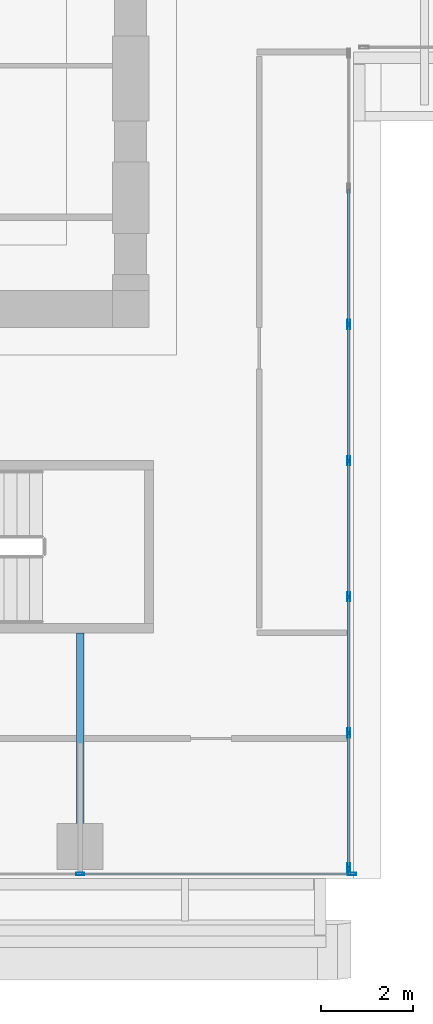
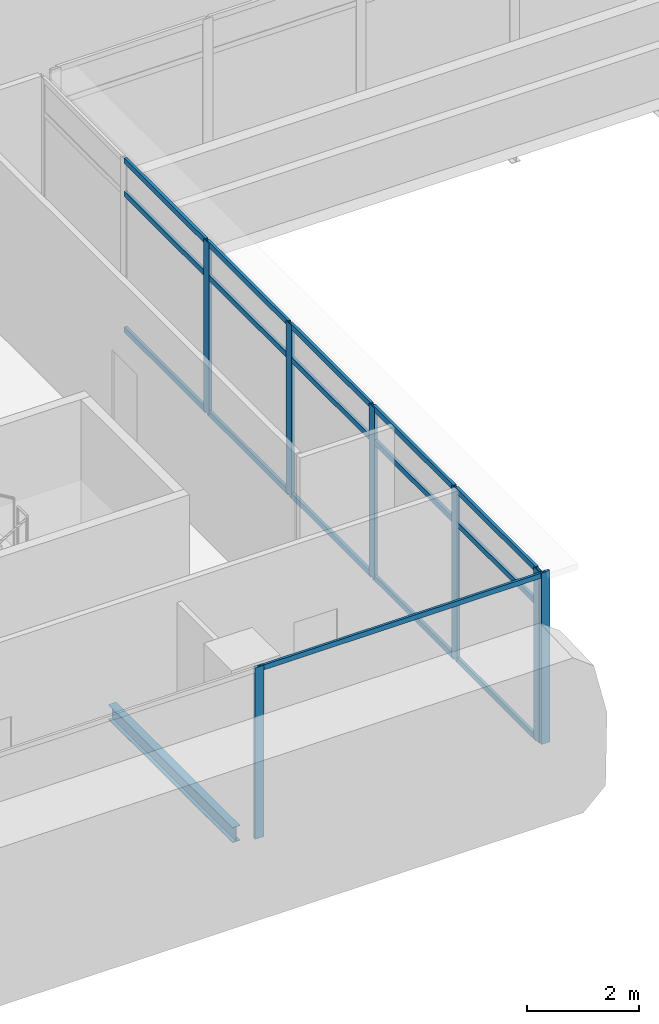
# One storey, part 4 of 43: 23 members, 1 beam, 2 elements without a shape of their own.
"""IFC4 building model written with IfcOpenShell, lengths in metres."""

from ifc_helpers import new_model, si_unit, direction, frame, origin, origin_2d, place, context, subcontext, project, spatial, hollow_rectangle, i_section, extrude, source, transform, mapped, material, material_profile, profile_set, type_object, element, aggregate, save


model = new_model("IFC4")

# Units and contexts
model_context = context("Model", 3, precision=1e-05, world=origin(), true_north=direction((0.0, 1.0)))
body_context = subcontext(model_context, "Body", "Model", "MODEL_VIEW")
ifc_project = project(units=[si_unit("LENGTHUNIT", "METRE"), si_unit("AREAUNIT", "SQUARE_METRE"), si_unit("VOLUMEUNIT", "CUBIC_METRE"), si_unit("PLANEANGLEUNIT", "RADIAN"), si_unit("MASSUNIT", "GRAM", prefix="KILO")], contexts=[model_context])

# Site, building, storey
site_placement = place(None, origin())
site = spatial("IfcSite", under=ifc_project, at=site_placement, CompositionType="ELEMENT")
building_placement = place(site_placement, origin())
building = spatial("IfcBuilding", under=site, at=building_placement, Name="Khomas Fold Tower", CompositionType="ELEMENT")
storey_placement = place(building_placement, frame((0.0, 0.0, 164.699951171875)))
storey = spatial("IfcBuildingStorey", under=building, at=storey_placement, Name="L35", CompositionType="ELEMENT", Elevation=164.699951171875)

# Beam
ifc_material_1 = material(Name="Steel S355", Category="steel")
ifc_material_profile_1 = material_profile(ifc_material_1, i_section(OverallWidth=0.159912109375, OverallDepth=0.330078125, WebThickness=0.007568359375, FlangeThickness=0.011474609375, at=origin_2d()), Name="IPE 330")
ifc_profile_set_1 = profile_set([ifc_material_profile_1], Name="Steel S355")
beam_type = type_object("IfcBeamType", Name="IPE 330 beam JB1", PredefinedType="BEAM", material=ifc_profile_set_1)
shared_shape_1 = source(origin(), body_context, "Body", "SweptSolid", [
    extrude(i_section(OverallWidth=0.159912109375, OverallDepth=0.330078125, WebThickness=0.007568359375, FlangeThickness=0.011474609375, at=origin_2d()), origin(), (0.0, 0.0, 1.0), 4.4501953125),
])
beam_placement = place(storey_placement, frame((19.5, 3.89990234375, -0.4150390625), z_axis=(0.0, 1.0, 0.0), x_axis=(-1.0, 0.0, 0.0)))
element("IfcBeam", 1, at=beam_placement, inside=storey, type_object=beam_type, Name="JB1", PredefinedType="BEAM", context=body_context, shape_type="MappedRepresentation", body=[
    mapped(shared_shape_1, transform((0.0, 0.0, 0.0))),
])

# Curtain wall, members
ifc_material_2 = material(Name="Aluminium framed double glazing", Category="aluminium")
curtain_wall_type_1 = type_object("IfcCurtainWallType", Name="SK-Unitised clear-glass wall, office floors CW2", PredefinedType="NOTDEFINED", material=ifc_material_2)
curtain_wall_1_placement = place(storey_placement, origin())
curtain_wall_1 = element("IfcCurtainWall", 2, at=curtain_wall_1_placement, inside=storey, type_object=curtain_wall_type_1, Name="CW2 run L35 01-0", PredefinedType="NOTDEFINED")
ifc_material_3 = material(Name="Aluminium", Category="aluminium")
ifc_material_profile_2 = material_profile(ifc_material_3, hollow_rectangle(XDim=0.06005859375, YDim=0.179931640625, WallThickness=0.00390625, at=origin_2d()), Name="SK-Unitised clear-glass wall, office floors mullion CW2-M")
ifc_profile_set_2 = profile_set([ifc_material_profile_2], Name="Aluminium")
member_type_1 = type_object("IfcMemberType", Name="SK-Unitised clear-glass wall, office floors mullion CW2-M", PredefinedType="MULLION", material=ifc_profile_set_2)
shared_shape_2 = source(origin(), body_context, "Body", "SweptSolid", [
    extrude(hollow_rectangle(XDim=0.06005859375, YDim=0.179931640625, WallThickness=0.00390625, at=origin_2d()), origin(), (0.0, 0.0, 1.0), 3.75),
])
member_1_placement = place(storey_placement, frame((19.5, 3.10009765625, 0.0), z_axis=(0.0, 0.0, 1.0), x_axis=(0.0, 1.0, 0.0)))
member_1 = element("IfcMember", 3, at=member_1_placement, type_object=member_type_1, Name="CW2 mullion 4", PredefinedType="MULLION", context=body_context, shape_type="MappedRepresentation", body=[
    mapped(shared_shape_2, transform((0.0, 0.0, 0.0))),
])
member_2_placement = place(storey_placement, frame((25.419921875, 3.10009765625, 0.0), z_axis=(0.0, 0.0, 1.0), x_axis=(0.0, 1.0, 0.0)))
member_2 = element("IfcMember", 4, at=member_2_placement, type_object=member_type_1, Name="CW2 mullion 5", PredefinedType="MULLION", context=body_context, shape_type="MappedRepresentation", body=[
    mapped(shared_shape_2, transform((0.0, 0.0, 0.0))),
])
ifc_material_4 = material(Name="Aluminium", Category="aluminium")
ifc_material_profile_3 = material_profile(ifc_material_4, hollow_rectangle(XDim=0.050048828125, YDim=0.110107421875, WallThickness=0.00390625, at=origin_2d()), Name="SK-Unitised clear-glass wall, office floors transom CW2-T")
ifc_profile_set_3 = profile_set([ifc_material_profile_3], Name="Aluminium")
member_type_2 = type_object("IfcMemberType", Name="SK-Unitised clear-glass wall, office floors transom CW2-T", PredefinedType="USERDEFINED", material=ifc_profile_set_3)
shared_shape_3 = source(origin(), body_context, "Body", "SweptSolid", [
    extrude(hollow_rectangle(XDim=0.050048828125, YDim=0.110107421875, WallThickness=0.00390625, at=origin_2d()), origin(), (0.0, 0.0, 1.0), 5.85986328125),
])
member_3_placement = place(storey_placement, frame((19.530029296875, 3.10009765625, 3.695068359375), z_axis=(1.0, 0.0, 0.0), x_axis=(0.0, 1.0, 0.0)))
member_3 = element("IfcMember", 5, at=member_3_placement, type_object=member_type_2, Name="CW2 transom 4", ObjectType="TRANSOM", PredefinedType="USERDEFINED", context=body_context, shape_type="MappedRepresentation", body=[
    mapped(shared_shape_3, transform((0.0, 0.0, 0.0))),
])
aggregate(curtain_wall_1, [member_1, member_2, member_3])

ifc_material_5 = material(Name="Aluminium framed double glazing", Category="aluminium")
curtain_wall_type_2 = type_object("IfcCurtainWallType", Name="Notch glazing GN-CW", PredefinedType="NOTDEFINED", material=ifc_material_5)
curtain_wall_2_placement = place(storey_placement, origin())
curtain_wall_2 = element("IfcCurtainWall", 6, at=curtain_wall_2_placement, inside=storey, type_object=curtain_wall_type_2, Name="Notch glazing run", PredefinedType="NOTDEFINED")
ifc_material_6 = material(Name="Aluminium", Category="aluminium")
ifc_material_profile_4 = material_profile(ifc_material_6, hollow_rectangle(XDim=0.06005859375, YDim=0.1201171875, WallThickness=0.00390625, at=origin_2d()), Name="Notch glazing transom GN-CW-T")
ifc_profile_set_4 = profile_set([ifc_material_profile_4], Name="Aluminium")
member_type_3 = type_object("IfcMemberType", Name="Notch glazing transom GN-CW-T", PredefinedType="USERDEFINED", material=ifc_profile_set_4)
shared_shape_4 = source(origin(), body_context, "Body", "SweptSolid", [
    extrude(hollow_rectangle(XDim=0.06005859375, YDim=0.1201171875, WallThickness=0.00390625, at=origin_2d()), origin(), (0.0, 0.0, 1.0), 2.876708984375),
])
member_4_placement = place(storey_placement, frame((25.35009765625, 3.260009765625, 0.030029296875), z_axis=(0.0, 1.0, 0.0), x_axis=(-1.0, 0.0, 0.0)))
member_4 = element("IfcMember", 7, at=member_4_placement, type_object=member_type_3, Name="GN-CW transom 1.1", ObjectType="TRANSOM", PredefinedType="USERDEFINED", context=body_context, shape_type="MappedRepresentation", body=[
    mapped(shared_shape_4, transform((0.0, 0.0, 0.0))),
])
member_5_placement = place(storey_placement, frame((25.35009765625, 3.260009765625, 3.0), z_axis=(0.0, 1.0, 0.0), x_axis=(-1.0, 0.0, 0.0)))
member_5 = element("IfcMember", 8, at=member_5_placement, type_object=member_type_3, Name="GN-CW transom 1.2", ObjectType="TRANSOM", PredefinedType="USERDEFINED", context=body_context, shape_type="MappedRepresentation", body=[
    mapped(shared_shape_4, transform((0.0, 0.0, 0.0))),
])
member_6_placement = place(storey_placement, frame((25.35009765625, 3.260009765625, 3.719970703125), z_axis=(0.0, 1.0, 0.0), x_axis=(-1.0, 0.0, 0.0)))
member_6 = element("IfcMember", 9, at=member_6_placement, type_object=member_type_3, Name="GN-CW transom 1.3", ObjectType="TRANSOM", PredefinedType="USERDEFINED", context=body_context, shape_type="MappedRepresentation", body=[
    mapped(shared_shape_4, transform((0.0, 0.0, 0.0))),
])
shared_shape_5 = source(origin(), body_context, "Body", "SweptSolid", [
    extrude(hollow_rectangle(XDim=0.06005859375, YDim=0.1201171875, WallThickness=0.00390625, at=origin_2d()), origin(), (0.0, 0.0, 1.0), 2.90673828125),
])
member_7_placement = place(storey_placement, frame((25.35009765625, 9.163330078125, 0.030029296875), z_axis=(0.0, 1.0, 0.0), x_axis=(-1.0, 0.0, 0.0)))
member_7 = element("IfcMember", 10, at=member_7_placement, type_object=member_type_3, Name="GN-CW transom 3.1", ObjectType="TRANSOM", PredefinedType="USERDEFINED", context=body_context, shape_type="MappedRepresentation", body=[
    mapped(shared_shape_5, transform((0.0, 0.0, 0.0))),
])
member_8_placement = place(storey_placement, frame((25.35009765625, 9.163330078125, 3.0), z_axis=(0.0, 1.0, 0.0), x_axis=(-1.0, 0.0, 0.0)))
member_8 = element("IfcMember", 11, at=member_8_placement, type_object=member_type_3, Name="GN-CW transom 3.2", ObjectType="TRANSOM", PredefinedType="USERDEFINED", context=body_context, shape_type="MappedRepresentation", body=[
    mapped(shared_shape_5, transform((0.0, 0.0, 0.0))),
])
member_9_placement = place(storey_placement, frame((25.35009765625, 9.163330078125, 3.719970703125), z_axis=(0.0, 1.0, 0.0), x_axis=(-1.0, 0.0, 0.0)))
member_9 = element("IfcMember", 12, at=member_9_placement, type_object=member_type_3, Name="GN-CW transom 3.3", ObjectType="TRANSOM", PredefinedType="USERDEFINED", context=body_context, shape_type="MappedRepresentation", body=[
    mapped(shared_shape_5, transform((0.0, 0.0, 0.0))),
])
member_10_placement = place(storey_placement, frame((25.35009765625, 12.1298828125, 0.030029296875), z_axis=(0.0, 1.0, 0.0), x_axis=(-1.0, 0.0, 0.0)))
member_10 = element("IfcMember", 13, at=member_10_placement, type_object=member_type_3, Name="GN-CW transom 4.1", ObjectType="TRANSOM", PredefinedType="USERDEFINED", context=body_context, shape_type="MappedRepresentation", body=[
    mapped(shared_shape_5, transform((0.0, 0.0, 0.0))),
])
member_11_placement = place(storey_placement, frame((25.35009765625, 12.1298828125, 3.0), z_axis=(0.0, 1.0, 0.0), x_axis=(-1.0, 0.0, 0.0)))
member_11 = element("IfcMember", 14, at=member_11_placement, type_object=member_type_3, Name="GN-CW transom 4.2", ObjectType="TRANSOM", PredefinedType="USERDEFINED", context=body_context, shape_type="MappedRepresentation", body=[
    mapped(shared_shape_5, transform((0.0, 0.0, 0.0))),
])
member_12_placement = place(storey_placement, frame((25.35009765625, 12.1298828125, 3.719970703125), z_axis=(0.0, 1.0, 0.0), x_axis=(-1.0, 0.0, 0.0)))
member_12 = element("IfcMember", 15, at=member_12_placement, type_object=member_type_3, Name="GN-CW transom 4.3", ObjectType="TRANSOM", PredefinedType="USERDEFINED", context=body_context, shape_type="MappedRepresentation", body=[
    mapped(shared_shape_5, transform((0.0, 0.0, 0.0))),
])
member_13_placement = place(storey_placement, frame((25.35009765625, 15.0966796875, 0.030029296875), z_axis=(0.0, 1.0, 0.0), x_axis=(-1.0, 0.0, 0.0)))
member_13 = element("IfcMember", 16, at=member_13_placement, type_object=member_type_3, Name="GN-CW transom 5.1", ObjectType="TRANSOM", PredefinedType="USERDEFINED", context=body_context, shape_type="MappedRepresentation", body=[
    mapped(shared_shape_5, transform((0.0, 0.0, 0.0))),
])
member_14_placement = place(storey_placement, frame((25.35009765625, 15.0966796875, 3.0), z_axis=(0.0, 1.0, 0.0), x_axis=(-1.0, 0.0, 0.0)))
member_14 = element("IfcMember", 17, at=member_14_placement, type_object=member_type_3, Name="GN-CW transom 5.2", ObjectType="TRANSOM", PredefinedType="USERDEFINED", context=body_context, shape_type="MappedRepresentation", body=[
    mapped(shared_shape_5, transform((0.0, 0.0, 0.0))),
])
member_15_placement = place(storey_placement, frame((25.35009765625, 15.0966796875, 3.719970703125), z_axis=(0.0, 1.0, 0.0), x_axis=(-1.0, 0.0, 0.0)))
member_15 = element("IfcMember", 18, at=member_15_placement, type_object=member_type_3, Name="GN-CW transom 5.3", ObjectType="TRANSOM", PredefinedType="USERDEFINED", context=body_context, shape_type="MappedRepresentation", body=[
    mapped(shared_shape_5, transform((0.0, 0.0, 0.0))),
])
shared_shape_6 = source(origin(), body_context, "Body", "SweptSolid", [
    extrude(hollow_rectangle(XDim=0.06005859375, YDim=0.1201171875, WallThickness=0.00390625, at=origin_2d()), origin(), (0.0, 0.0, 1.0), 2.906494140625),
])
member_16_placement = place(storey_placement, frame((25.35009765625, 6.19677734375, 0.030029296875), z_axis=(0.0, 1.0, 0.0), x_axis=(-1.0, 0.0, 0.0)))
member_16 = element("IfcMember", 19, at=member_16_placement, type_object=member_type_3, Name="GN-CW transom 2.1", ObjectType="TRANSOM", PredefinedType="USERDEFINED", context=body_context, shape_type="MappedRepresentation", body=[
    mapped(shared_shape_6, transform((0.0, 0.0, 0.0))),
])
member_17_placement = place(storey_placement, frame((25.35009765625, 6.19677734375, 3.0), z_axis=(0.0, 1.0, 0.0), x_axis=(-1.0, 0.0, 0.0)))
member_17 = element("IfcMember", 20, at=member_17_placement, type_object=member_type_3, Name="GN-CW transom 2.2", ObjectType="TRANSOM", PredefinedType="USERDEFINED", context=body_context, shape_type="MappedRepresentation", body=[
    mapped(shared_shape_6, transform((0.0, 0.0, 0.0))),
])
member_18_placement = place(storey_placement, frame((25.35009765625, 6.19677734375, 3.719970703125), z_axis=(0.0, 1.0, 0.0), x_axis=(-1.0, 0.0, 0.0)))
member_18 = element("IfcMember", 21, at=member_18_placement, type_object=member_type_3, Name="GN-CW transom 2.3", ObjectType="TRANSOM", PredefinedType="USERDEFINED", context=body_context, shape_type="MappedRepresentation", body=[
    mapped(shared_shape_6, transform((0.0, 0.0, 0.0))),
])
ifc_material_7 = material(Name="Aluminium", Category="aluminium")
ifc_material_profile_5 = material_profile(ifc_material_7, hollow_rectangle(XDim=0.06005859375, YDim=0.199951171875, WallThickness=0.00390625, at=origin_2d()), Name="Notch glazing mullion GN-CW-M")
ifc_profile_set_5 = profile_set([ifc_material_profile_5], Name="Aluminium")
member_type_4 = type_object("IfcMemberType", Name="Notch glazing mullion GN-CW-M", PredefinedType="MULLION", material=ifc_profile_set_5)
shared_shape_7 = source(origin(), body_context, "Body", "SweptSolid", [
    extrude(hollow_rectangle(XDim=0.06005859375, YDim=0.199951171875, WallThickness=0.00390625, at=origin_2d()), origin(), (0.0, 0.0, 1.0), 3.75),
])
member_19_placement = place(storey_placement, frame((25.35009765625, 3.22998046875, 0.0), z_axis=(0.0, 0.0, 1.0), x_axis=(-1.0, 0.0, 0.0)))
member_19 = element("IfcMember", 22, at=member_19_placement, type_object=member_type_4, Name="GN-CW mullion 1", PredefinedType="MULLION", context=body_context, shape_type="MappedRepresentation", body=[
    mapped(shared_shape_7, transform((0.0, 0.0, 0.0))),
])
member_20_placement = place(storey_placement, frame((25.35009765625, 6.166748046875, 0.0), z_axis=(0.0, 0.0, 1.0), x_axis=(-1.0, 0.0, 0.0)))
member_20 = element("IfcMember", 23, at=member_20_placement, type_object=member_type_4, Name="GN-CW mullion 2", PredefinedType="MULLION", context=body_context, shape_type="MappedRepresentation", body=[
    mapped(shared_shape_7, transform((0.0, 0.0, 0.0))),
])
member_21_placement = place(storey_placement, frame((25.35009765625, 9.13330078125, 0.0), z_axis=(0.0, 0.0, 1.0), x_axis=(-1.0, 0.0, 0.0)))
member_21 = element("IfcMember", 24, at=member_21_placement, type_object=member_type_4, Name="GN-CW mullion 3", PredefinedType="MULLION", context=body_context, shape_type="MappedRepresentation", body=[
    mapped(shared_shape_7, transform((0.0, 0.0, 0.0))),
])
member_22_placement = place(storey_placement, frame((25.35009765625, 12.10009765625, 0.0), z_axis=(0.0, 0.0, 1.0), x_axis=(-1.0, 0.0, 0.0)))
member_22 = element("IfcMember", 25, at=member_22_placement, type_object=member_type_4, Name="GN-CW mullion 4", PredefinedType="MULLION", context=body_context, shape_type="MappedRepresentation", body=[
    mapped(shared_shape_7, transform((0.0, 0.0, 0.0))),
])
member_23_placement = place(storey_placement, frame((25.35009765625, 15.066650390625, 0.0), z_axis=(0.0, 0.0, 1.0), x_axis=(-1.0, 0.0, 0.0)))
member_23 = element("IfcMember", 26, at=member_23_placement, type_object=member_type_4, Name="GN-CW mullion 5", PredefinedType="MULLION", context=body_context, shape_type="MappedRepresentation", body=[
    mapped(shared_shape_7, transform((0.0, 0.0, 0.0))),
])
aggregate(curtain_wall_2, [member_19, member_20, member_21, member_22, member_23, member_4, member_5, member_6, member_16, member_17, member_18, member_7, member_8, member_9, member_10, member_11, member_12, member_13, member_14, member_15])

save(model, "model.ifc")
